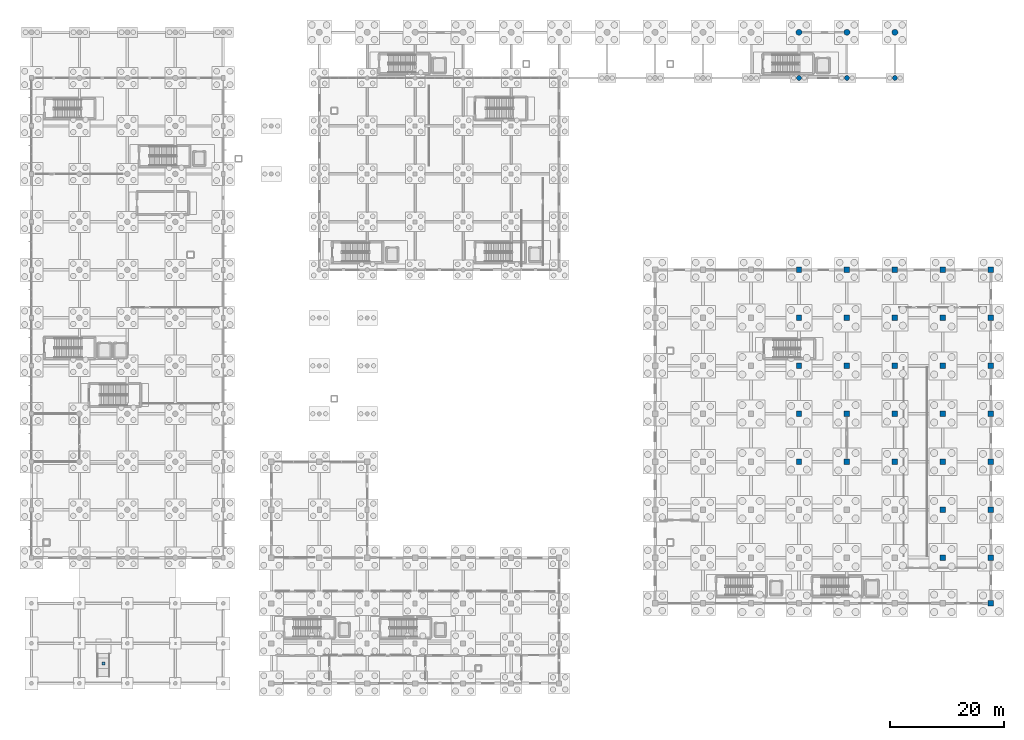
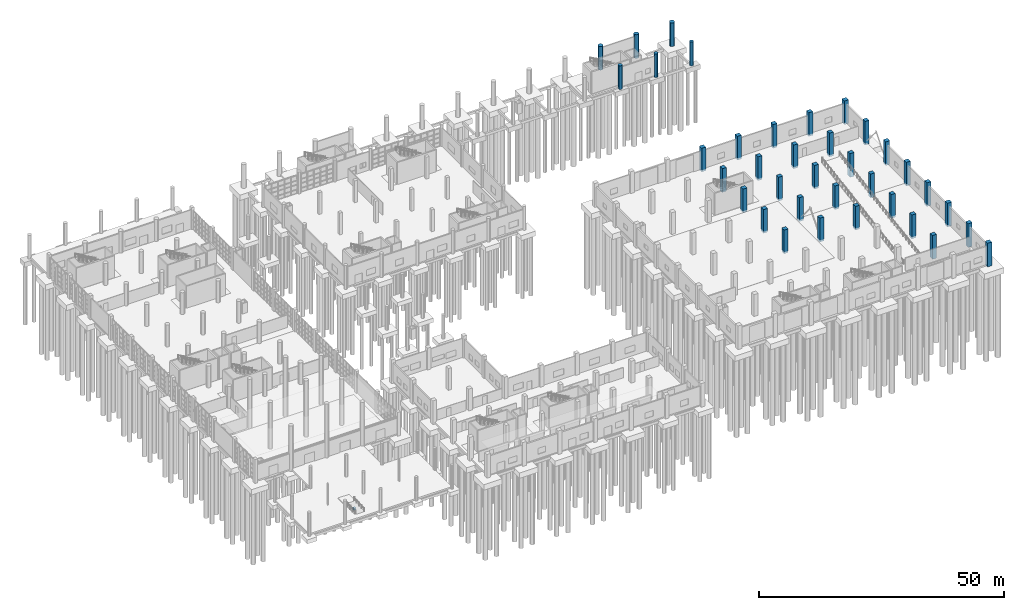
# One storey, part 13 of 83: 37 columns.
"""IFC4 building model written with IfcOpenShell, lengths in metres."""

from ifc_helpers import new_model, si_unit, direction, frame, origin, origin_2d, place, context, subcontext, project, spatial, rectangle, circle, extrude, material, material_profile, profile_set, type_object, element, save


model = new_model("IFC4")

# Units and contexts
model_context = context("Model", 3, precision=1e-05, world=origin(), true_north=direction((0.0, 1.0)))
body_context = subcontext(model_context, "Body", "Model", "MODEL_VIEW")
ifc_project = project(units=[si_unit("LENGTHUNIT", "METRE"), si_unit("AREAUNIT", "SQUARE_METRE"), si_unit("VOLUMEUNIT", "CUBIC_METRE"), si_unit("PLANEANGLEUNIT", "RADIAN"), si_unit("MASSUNIT", "GRAM", prefix="KILO"), si_unit("THERMODYNAMICTEMPERATUREUNIT", "KELVIN"), si_unit("POWERUNIT", "WATT")], contexts=[model_context])

# Site, building, storey
site_placement = place(None, origin())
site = spatial("IfcSite", under=ifc_project, at=site_placement, CompositionType="ELEMENT")
building_placement = place(site_placement, origin())
building = spatial("IfcBuilding", under=site, at=building_placement, Name="Mavoryth Pier Ferry Terminal", CompositionType="ELEMENT")
storey_placement = place(building_placement, origin())
storey = spatial("IfcBuildingStorey", under=building, at=storey_placement, Name="L00", CompositionType="ELEMENT", Elevation=0.0)

# Columns
ifc_material = material(Name="Concrete C40/50", Category="concrete")
ifc_material_profile_1 = material_profile(ifc_material, circle(Radius=0.52490234375, at=origin_2d()), Name="RC D1050", Category="concrete")
ifc_profile_set_1 = profile_set([ifc_material_profile_1], Name="Concrete C40/50 - RC D1050")
column_type_1 = type_object("IfcColumnType", Name="Col-Pilaster-D1050", PredefinedType="PILASTER", material=ifc_profile_set_1)
for number, where, z_axis, x_axis, name in (
    (1, (134.39990234375, 114.0, -0.4599609375), (0.0, 0.0, 1.0), (1.0, 0.0, 0.0), "Column C00-PS01-289"),
    (2, (142.800048828125, 114.0, -0.4599609375), (0.0, 0.0, 1.0), (1.0, 0.0, 0.0), "Column C00-PS01-293"),
    (3, (151.199951171875, 114.0, -0.4599609375), (0.0, 0.0, 1.0), (1.0, 0.0, 0.0), "Column C00-PS01-297"),
):
    element("IfcColumn", number, at=place(storey_placement, frame(where, z_axis=z_axis, x_axis=x_axis)), inside=storey, type_object=column_type_1, Name=name, PredefinedType="PILASTER", context=body_context, shape_type="SweptSolid", body=[
        extrude(circle(Radius=0.52490234375, at=origin_2d()), origin(), (0.0, 0.0, 1.0), 5.89990234375),
    ])
ifc_material_profile_2 = material_profile(ifc_material, circle(Radius=0.425048828125, at=origin_2d()), Name="RC D850", Category="concrete")
ifc_profile_set_2 = profile_set([ifc_material_profile_2], Name="Concrete C40/50 - RC D850")
column_type_2 = type_object("IfcColumnType", Name="Col-Pilotis-D850", PredefinedType="COLUMN", material=ifc_profile_set_2)
for number, where, z_axis, x_axis, name in (
    (4, (134.39990234375, 106.0, -0.4599609375), (0.0, 0.0, 1.0), (1.0, 0.0, 0.0), "Column C00-CC04-287"),
    (5, (142.800048828125, 106.0, -0.4599609375), (0.0, 0.0, 1.0), (1.0, 0.0, 0.0), "Column C00-CC04-291"),
    (6, (151.199951171875, 106.0, -0.4599609375), (0.0, 0.0, 1.0), (1.0, 0.0, 0.0), "Column C00-CC04-295"),
):
    element("IfcColumn", number, at=place(storey_placement, frame(where, z_axis=z_axis, x_axis=x_axis)), inside=storey, type_object=column_type_2, Name=name, PredefinedType="COLUMN", context=body_context, shape_type="SweptSolid", body=[
        extrude(circle(Radius=0.425048828125, at=origin_2d()), origin(), (0.0, 0.0, 1.0), 5.89990234375),
    ])
ifc_material_profile_3 = material_profile(ifc_material, rectangle(XDim=0.550048828125, YDim=0.550048828125, at=origin_2d()), Name="RC 550x550", Category="concrete")
ifc_profile_set_3 = profile_set([ifc_material_profile_3], Name="Concrete C40/50 - RC 550x550")
column_type_3 = type_object("IfcColumnType", Name="Col-RC-550x550", PredefinedType="COLUMN", material=ifc_profile_set_3)
column_placement = place(storey_placement, frame((12.60009765625, 3.5, -0.4599609375), z_axis=(0.0, 0.0, 1.0), x_axis=(1.0, 0.0, 0.0)))
element("IfcColumn", 7, at=column_placement, inside=storey, type_object=column_type_3, Name="Column C00-CC06-001", PredefinedType="COLUMN", context=body_context, shape_type="SweptSolid", body=[
    extrude(rectangle(XDim=0.550048828125, YDim=0.550048828125, at=origin_2d()), origin(), (0.0, 0.0, 1.0), 0.4599609375),
])
ifc_material_profile_4 = material_profile(ifc_material, rectangle(XDim=0.949951171875, YDim=0.949951171875, at=origin_2d()), Name="RC 950x950", Category="concrete")
ifc_profile_set_4 = profile_set([ifc_material_profile_4], Name="Concrete C40/50 - RC 950x950")
column_type_4 = type_object("IfcColumnType", Name="Col-RC-950x950", PredefinedType="COLUMN", material=ifc_profile_set_4)
for number, where, z_axis, x_axis, name in (
    (8, (134.39990234375, 38.800048828125, -0.4599609375), (0.0, 0.0, 1.0), (1.0, 0.0, 0.0), "Column C00-CC15-326"),
    (9, (134.39990234375, 47.199951171875, -0.4599609375), (0.0, 0.0, 1.0), (1.0, 0.0, 0.0), "Column C00-CC15-327"),
    (10, (134.39990234375, 55.60009765625, -0.4599609375), (0.0, 0.0, 1.0), (1.0, 0.0, 0.0), "Column C00-CC15-328"),
    (11, (134.39990234375, 64.0, -0.4599609375), (0.0, 0.0, 1.0), (1.0, 0.0, 0.0), "Column C00-CC15-329"),
    (12, (134.39990234375, 72.39990234375, -0.4599609375), (0.0, 0.0, 1.0), (1.0, 0.0, 0.0), "Column C00-CC15-330"),
    (13, (142.800048828125, 38.800048828125, -0.4599609375), (0.0, 0.0, 1.0), (1.0, 0.0, 0.0), "Column C00-CC15-334"),
    (14, (142.800048828125, 47.199951171875, -0.4599609375), (0.0, 0.0, 1.0), (1.0, 0.0, 0.0), "Column C00-CC15-335"),
    (15, (142.800048828125, 55.60009765625, -0.4599609375), (0.0, 0.0, 1.0), (1.0, 0.0, 0.0), "Column C00-CC15-336"),
    (16, (142.800048828125, 64.0, -0.4599609375), (0.0, 0.0, 1.0), (1.0, 0.0, 0.0), "Column C00-CC15-337"),
    (17, (142.800048828125, 72.39990234375, -0.4599609375), (0.0, 0.0, 1.0), (1.0, 0.0, 0.0), "Column C00-CC15-338"),
    (18, (151.199951171875, 38.800048828125, -0.4599609375), (0.0, 0.0, 1.0), (1.0, 0.0, 0.0), "Column C00-CC15-342"),
    (19, (151.199951171875, 47.199951171875, -0.4599609375), (0.0, 0.0, 1.0), (1.0, 0.0, 0.0), "Column C00-CC15-343"),
    (20, (151.199951171875, 55.60009765625, -0.4599609375), (0.0, 0.0, 1.0), (1.0, 0.0, 0.0), "Column C00-CC15-344"),
    (21, (151.199951171875, 64.0, -0.4599609375), (0.0, 0.0, 1.0), (1.0, 0.0, 0.0), "Column C00-CC15-345"),
    (22, (151.199951171875, 72.39990234375, -0.4599609375), (0.0, 0.0, 1.0), (1.0, 0.0, 0.0), "Column C00-CC15-346"),
    (23, (159.60009765625, 22.0, -0.4599609375), (0.0, 0.0, 1.0), (1.0, 0.0, 0.0), "Column C00-CC15-348"),
    (24, (159.60009765625, 30.39990234375, -0.4599609375), (0.0, 0.0, 1.0), (1.0, 0.0, 0.0), "Column C00-CC15-349"),
    (25, (159.60009765625, 38.800048828125, -0.4599609375), (0.0, 0.0, 1.0), (1.0, 0.0, 0.0), "Column C00-CC15-350"),
    (26, (159.60009765625, 47.199951171875, -0.4599609375), (0.0, 0.0, 1.0), (1.0, 0.0, 0.0), "Column C00-CC15-351"),
    (27, (159.60009765625, 55.60009765625, -0.4599609375), (0.0, 0.0, 1.0), (1.0, 0.0, 0.0), "Column C00-CC15-352"),
    (28, (159.60009765625, 64.0, -0.4599609375), (0.0, 0.0, 1.0), (1.0, 0.0, 0.0), "Column C00-CC15-353"),
    (29, (159.60009765625, 72.39990234375, -0.4599609375), (0.0, 0.0, 1.0), (1.0, 0.0, 0.0), "Column C00-CC15-354"),
    (30, (168.0, 14.0, -0.4599609375), (0.0, 0.0, 1.0), (1.0, 0.0, 0.0), "Column C00-CC15-355"),
    (31, (168.0, 22.0, -0.4599609375), (0.0, 0.0, 1.0), (1.0, 0.0, 0.0), "Column C00-CC15-356"),
    (32, (168.0, 30.39990234375, -0.4599609375), (0.0, 0.0, 1.0), (1.0, 0.0, 0.0), "Column C00-CC15-357"),
    (33, (168.0, 38.800048828125, -0.4599609375), (0.0, 0.0, 1.0), (1.0, 0.0, 0.0), "Column C00-CC15-358"),
    (34, (168.0, 47.199951171875, -0.4599609375), (0.0, 0.0, 1.0), (1.0, 0.0, 0.0), "Column C00-CC15-359"),
    (35, (168.0, 55.60009765625, -0.4599609375), (0.0, 0.0, 1.0), (1.0, 0.0, 0.0), "Column C00-CC15-360"),
    (36, (168.0, 64.0, -0.4599609375), (0.0, 0.0, 1.0), (1.0, 0.0, 0.0), "Column C00-CC15-361"),
    (37, (168.0, 72.39990234375, -0.4599609375), (0.0, 0.0, 1.0), (1.0, 0.0, 0.0), "Column C00-CC15-362"),
):
    element("IfcColumn", number, at=place(storey_placement, frame(where, z_axis=z_axis, x_axis=x_axis)), inside=storey, type_object=column_type_4, Name=name, PredefinedType="COLUMN", context=body_context, shape_type="SweptSolid", body=[
        extrude(rectangle(XDim=0.949951171875, YDim=0.949951171875, at=origin_2d()), origin(), (0.0, 0.0, 1.0), 5.89990234375),
    ])

save(model, "model.ifc")
